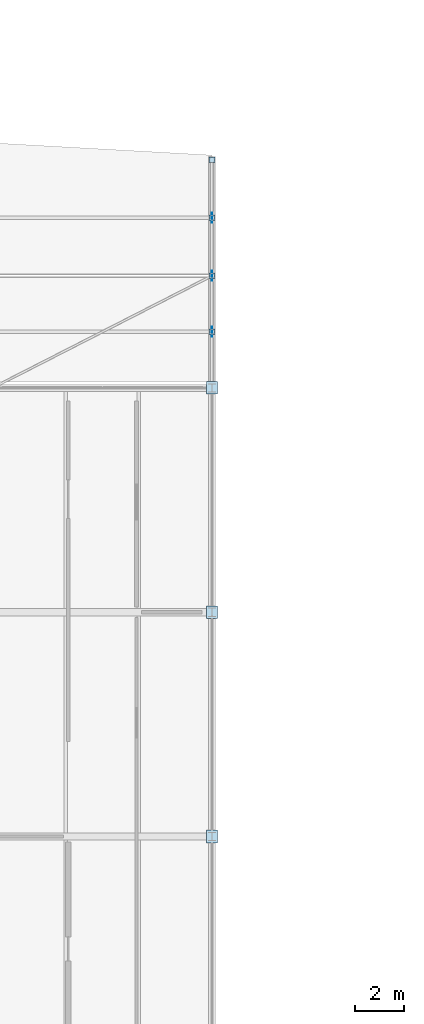
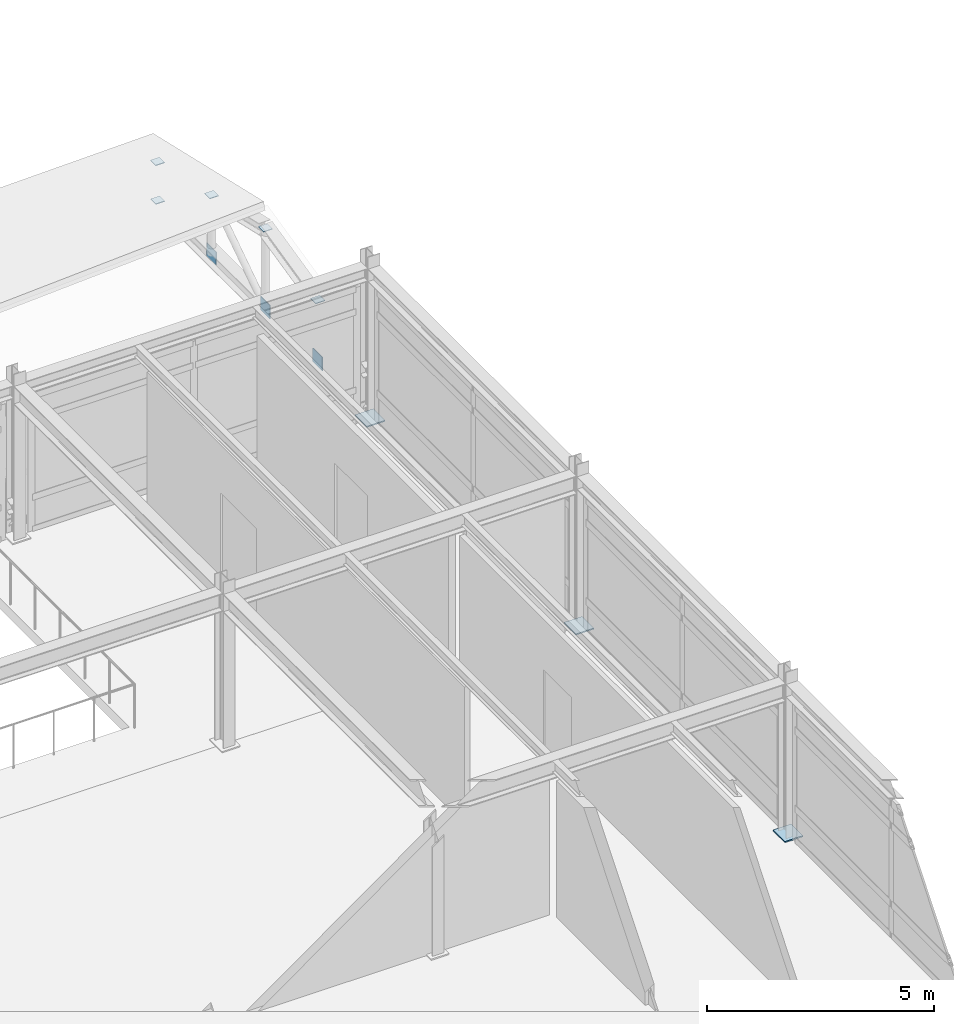
# One storey, part 38 of 55: 11 plates.
"""IFC4 building model written with IfcOpenShell, lengths in metres."""

from ifc_helpers import new_model, si_unit, direction, frame, origin, origin_2d, place, context, subcontext, project, spatial, rectangle, extrude, material, layer, layer_set, type_object, element, save


model = new_model("IFC4")

# Units and contexts
model_context = context("Model", 3, precision=1e-05, world=origin(), true_north=direction((0.0, 1.0)))
body_context = subcontext(model_context, "Body", "Model", "MODEL_VIEW")
ifc_project = project(units=[si_unit("LENGTHUNIT", "METRE"), si_unit("AREAUNIT", "SQUARE_METRE"), si_unit("VOLUMEUNIT", "CUBIC_METRE"), si_unit("PLANEANGLEUNIT", "RADIAN"), si_unit("MASSUNIT", "GRAM", prefix="KILO")], contexts=[model_context])

# Site, building, storey
site_placement = place(None, origin())
site = spatial("IfcSite", under=ifc_project, at=site_placement, CompositionType="ELEMENT")
building_placement = place(site_placement, origin())
building = spatial("IfcBuilding", under=site, at=building_placement, Name="Bozkorgan Art Gallery", CompositionType="ELEMENT")
storey_placement = place(building_placement, frame((0.0, 0.0, 15.0)))
storey = spatial("IfcBuildingStorey", under=building, at=storey_placement, Name="L03", CompositionType="ELEMENT", Elevation=15.0)

# Plates
ifc_material = material(Name="Steel S355J2", Category="steel")
ifc_layer_1 = layer(ifc_material, 0.031982421875, Name="Steel S355J2")
ifc_layer_set_1 = layer_set([ifc_layer_1], Name="Steel S355J2")
plate_type_1 = type_object("IfcPlateType", Name="PLATE-BP-73", PredefinedType="USERDEFINED", material=ifc_layer_set_1)
for number, where, z_axis, x_axis, name in (
    (1, (101.0, 66.0, 0.0), (0.0, 0.0, 1.0), (1.0, 0.0, 0.0), "COL-V4-L03-101-66 base plate"),
    (2, (101.0, 75.199951171875, 0.0), (0.0, 0.0, 1.0), (1.0, 0.0, 0.0), "COL-V4-L03-101-75 base plate"),
    (3, (101.0, 84.39990234375, 0.0), (0.0, 0.0, 1.0), (1.0, 0.0, 0.0), "COL-V4-L03-101-84 base plate"),
):
    element("IfcPlate", number, at=place(storey_placement, frame(where, z_axis=z_axis, x_axis=x_axis)), inside=storey, type_object=plate_type_1, Name=name, ObjectType="END CAP PLATE", PredefinedType="USERDEFINED", context=body_context, shape_type="SweptSolid", body=[
        extrude(rectangle(XDim=0.4599609375, YDim=0.52001953125, at=origin_2d()), origin(), (0.0, 0.0, 1.0), 0.031982421875),
    ])
ifc_layer_2 = layer(ifc_material, 0.01611328125, Name="Steel S355J2")
ifc_layer_set_2 = layer_set([ifc_layer_2], Name="Steel S355J2")
plate_type_2 = type_object("IfcPlateType", Name="PLATE-EC-05", PredefinedType="USERDEFINED", material=ifc_layer_set_2)
for number, where, z_axis, x_axis, name in (
    (4, (101.0, 86.699951171875, 1.79833984375), (0.0, 0.0, 1.0), (1.0, 0.0, 0.0), "Truss V4 post cap 4.1"),
    (5, (101.0, 89.0, 2.329345703125), (0.0, 0.0, 1.0), (1.0, 0.0, 0.0), "Truss V4 post cap 4.2"),
    (6, (101.0, 91.375, 1.781005859375), (0.0, 0.0, 1.0), (1.0, 0.0, 0.0), "Truss V4 post cap 4.3"),
    (7, (101.0, 93.75, 1.232666015625), (0.0, 0.0, 1.0), (1.0, 0.0, 0.0), "Truss V4 post cap 4.4"),
    (8, (101.0, 93.75, 0.19189453125), (0.0, 0.0, 1.0), (1.0, 0.0, 0.0), "Truss V4 post base cap 4.4"),
):
    element("IfcPlate", number, at=place(storey_placement, frame(where, z_axis=z_axis, x_axis=x_axis)), inside=storey, type_object=plate_type_2, Name=name, ObjectType="END CAP PLATE", PredefinedType="USERDEFINED", context=body_context, shape_type="SweptSolid", body=[
        extrude(rectangle(XDim=0.22998046875, YDim=0.22998046875, at=origin_2d()), origin(), (0.0, 0.0, 1.0), 0.01611328125),
    ])
ifc_layer_3 = layer(ifc_material, 0.02392578125, Name="Steel S355J2")
ifc_layer_set_3 = layer_set([ifc_layer_3], Name="Steel S355J2")
plate_type_3 = type_object("IfcPlateType", Name="PLATE-GP-38", PredefinedType="USERDEFINED", material=ifc_layer_set_3)
plate_placement = place(storey_placement, frame((101.0, 89.0, 0.02001953125), z_axis=(0.0, 0.0, 1.0), x_axis=(1.0, 0.0, 0.0)))
element("IfcPlate", 9, at=plate_placement, inside=storey, type_object=plate_type_3, Name="Truss V4 span 4 node gusset TN-2", ObjectType="GUSSET PLATE", PredefinedType="USERDEFINED", context=body_context, shape_type="SweptSolid", body=[
    extrude(rectangle(XDim=0.02001953125, YDim=0.419921875, at=origin_2d()), origin(), (0.0, 0.0, 1.0), 0.360107421875),
])
ifc_layer_4 = layer(ifc_material, 0.02001953125, Name="Steel S355J2")
ifc_layer_set_4 = layer_set([ifc_layer_4], Name="Steel S355J2")
plate_type_4 = type_object("IfcPlateType", Name="PLATE-GP-55", PredefinedType="USERDEFINED", material=ifc_layer_set_4)
for number, where, z_axis, x_axis, name in (
    (10, (101.0, 86.699951171875, 0.02001953125), (0.0, 0.0, 1.0), (1.0, 0.0, 0.0), "Truss V4 span 4 node gusset TN-1"),
    (11, (101.0, 91.375, 0.02001953125), (0.0, 0.0, 1.0), (1.0, 0.0, 0.0), "Truss V4 span 4 node gusset TN-3"),
):
    element("IfcPlate", number, at=place(storey_placement, frame(where, z_axis=z_axis, x_axis=x_axis)), inside=storey, type_object=plate_type_4, Name=name, ObjectType="GUSSET PLATE", PredefinedType="USERDEFINED", context=body_context, shape_type="SweptSolid", body=[
        extrude(rectangle(XDim=0.02001953125, YDim=0.419921875, at=origin_2d()), origin(), (0.0, 0.0, 1.0), 0.360107421875),
    ])

save(model, "model.ifc")
